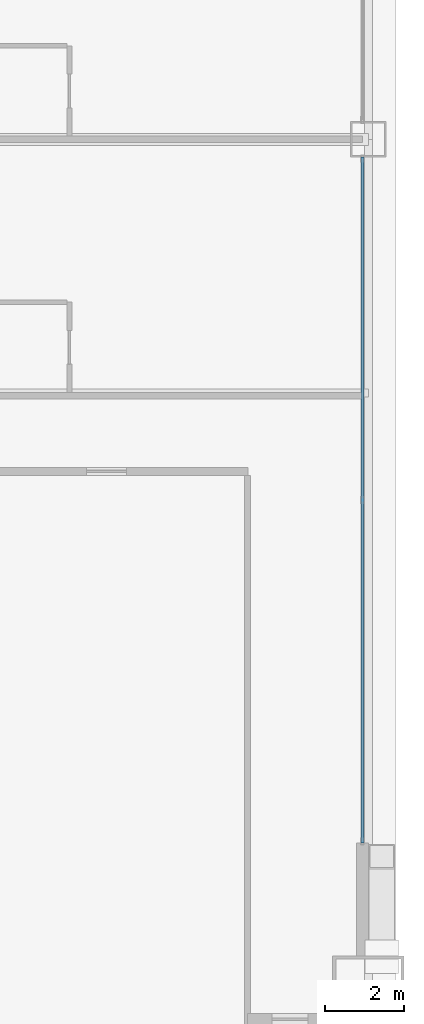
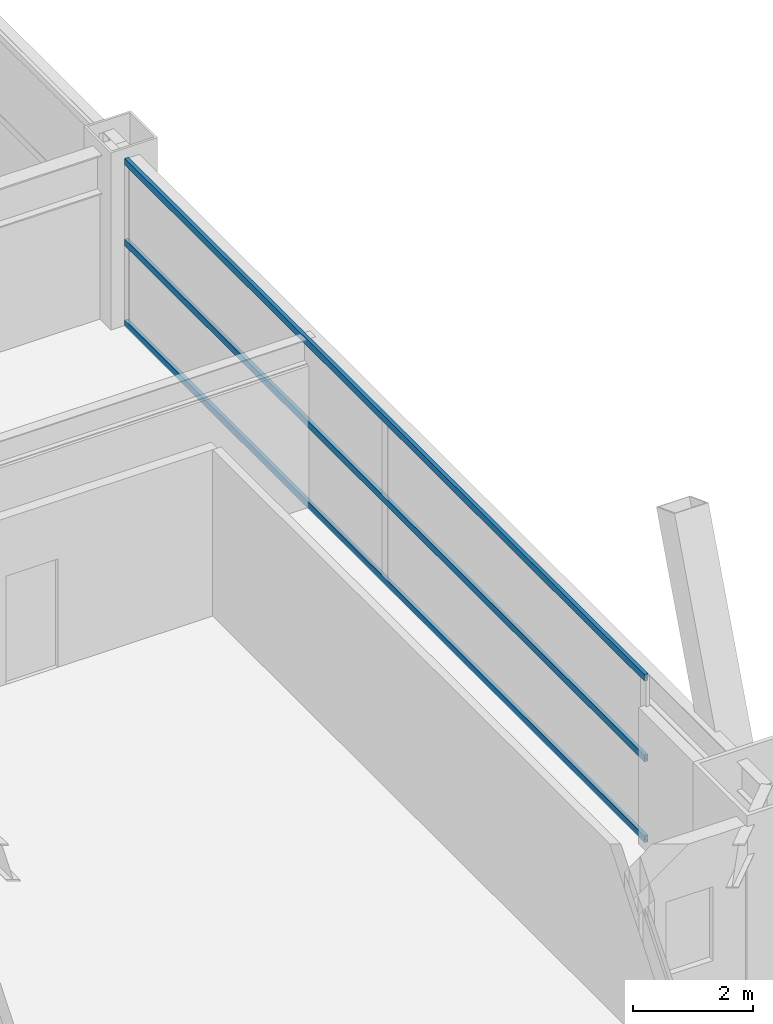
# One storey, part 20 of 43: 3 members, 1 element without a shape of its own.
"""IFC4 building model written with IfcOpenShell, lengths in metres."""

import ifcopenshell
import ifcopenshell.guid

model = None  # the IFC model being written
_history = None  # IfcOwnerHistory: only IFC2X3 demands one
_inside = {}  # id of a spatial element -> (the spatial element, [elements in it])
_under = {}  # id of a project, library or spatial element -> (it, [spatial elements below it])
_declared = {}  # id of a project -> (the project, [libraries it declares])
_typed = {}  # id of a type object -> (the type object, [elements of that type])
_made_of = {}  # id of a material, layer set ... -> (it, [elements and type objects made of it])


def new_model(schema):
    """Start an empty IFC model of exactly this schema.

    Asked for "IFC4X3", IfcOpenShell would pick the latest addendum, in which some entities
    have other attributes; the version numbers below select the first issue.
    IFC2X3 requires an IfcOwnerHistory on every rooted entity: one is made here for all.
    """
    global model, _history
    if schema == "IFC4X3":
        model = ifcopenshell.file(schema_version=(4, 3, 0, 0))
    else:
        model = ifcopenshell.file(schema=schema)
    _inside.clear()
    _under.clear()
    _declared.clear()
    _typed.clear()
    _made_of.clear()
    _history = None
    if model.schema == "IFC2X3":
        org = make("IfcOrganization", Name="unknown")
        user = make(
            "IfcPersonAndOrganization",
            ThePerson=make("IfcPerson", FamilyName="unknown"),
            TheOrganization=org,
        )
        app = make(
            "IfcApplication",
            ApplicationDeveloper=org,
            Version="unknown",
            ApplicationFullName="unknown",
            ApplicationIdentifier="unknown",
        )
        _history = make(
            "IfcOwnerHistory",
            OwningUser=user,
            OwningApplication=app,
            ChangeAction="ADDED",
            CreationDate=0,
        )
    return model


def make(cls, **values):
    """One entity of the class cls with the attributes given. An attribute that is None is left unset."""
    return model.create_entity(
        cls, **{name: value for name, value in values.items() if value is not None}
    )


def rooted(cls, **values):
    """An entity with a GlobalId (a new one), such as an element, a storey or a relation."""
    return make(cls, GlobalId=ifcopenshell.guid.new(), OwnerHistory=_history, **values)


def si_unit(unit_type, name, prefix=None):
    """IfcSIUnit, for example si_unit("LENGTHUNIT", "METRE", prefix="MILLI")."""
    return make("IfcSIUnit", UnitType=unit_type, Prefix=prefix, Name=name)


def assignment(units):
    """IfcUnitAssignment: the units of a project."""
    return None if units is None else make("IfcUnitAssignment", Units=units)


def point(xyz):
    """IfcCartesianPoint."""
    return None if xyz is None else make("IfcCartesianPoint", Coordinates=xyz)


def direction(xyz):
    """IfcDirection."""
    return None if xyz is None else make("IfcDirection", DirectionRatios=xyz)


def frame(location, z_axis=None, x_axis=None):
    """IfcAxis2Placement3D, a coordinate frame: its origin and axes. An axis left out is left unset."""
    return make(
        "IfcAxis2Placement3D",
        Location=point(location),
        Axis=direction(z_axis),
        RefDirection=direction(x_axis),
    )


def frame_2d(location, x_axis=None):
    """IfcAxis2Placement2D, a coordinate frame in the plane: its origin and x axis."""
    return make(
        "IfcAxis2Placement2D", Location=point(location), RefDirection=direction(x_axis)
    )


def origin():
    """The frame at (0, 0, 0) with its axes left unset."""
    return frame((0.0, 0.0, 0.0))


def origin_2d():
    """The frame at (0, 0) in the plane with its x axis left unset."""
    return frame_2d((0.0, 0.0))


def place(relative_to, where):
    """IfcLocalPlacement: puts the frame where relative to a parent placement (None: the world)."""
    return make(
        "IfcLocalPlacement", PlacementRelTo=relative_to, RelativePlacement=where
    )


def context(
    kind, dimensions, precision=None, world=None, true_north=None, identifier=None
):
    """IfcGeometricRepresentationContext, for example the 3D "Model" context."""
    return make(
        "IfcGeometricRepresentationContext",
        ContextIdentifier=identifier,
        ContextType=kind,
        CoordinateSpaceDimension=dimensions,
        Precision=precision,
        WorldCoordinateSystem=world,
        TrueNorth=true_north,
    )


def subcontext(parent, identifier, kind, view, scale=None):
    """IfcGeometricRepresentationSubContext, for example "Body" below "Model"."""
    return make(
        "IfcGeometricRepresentationSubContext",
        ContextIdentifier=identifier,
        ContextType=kind,
        ParentContext=parent,
        TargetScale=scale,
        TargetView=view,
    )


def project(units=None, contexts=None):
    """IfcProject with its units and contexts."""
    return rooted(
        "IfcProject",
        Name="project",
        RepresentationContexts=contexts,
        UnitsInContext=assignment(units),
    )


def spatial(cls, under=None, at=None, **own):
    """A site, building, storey or space (cls), placed at a placement, below another one or the project."""
    s = rooted(cls, ObjectPlacement=at, **own)
    if under is not None:
        _under.setdefault(under.id(), (under, []))[1].append(s)
    return s


def profile(cls, at=None, kind="AREA", **sizes):
    """A parametric profile (cls). Its sizes go by their IFC names, for example OverallWidth=200.0."""
    return make(cls, ProfileType=kind, Position=at, **sizes)


def hollow_rectangle(**sizes):
    """IfcRectangleHollowProfileDef."""
    return profile("IfcRectangleHollowProfileDef", **sizes)


def extrude(swept, where, along, depth):
    """IfcExtrudedAreaSolid: the profile swept, set in the frame where, extruded along a direction by depth."""
    return make(
        "IfcExtrudedAreaSolid",
        SweptArea=swept,
        Position=where,
        ExtrudedDirection=direction(along),
        Depth=depth,
    )


def shape(context_of_items, identifier, shape_type, items):
    """IfcShapeRepresentation: the items that make up one representation, for example the "Body"."""
    return make(
        "IfcShapeRepresentation",
        ContextOfItems=context_of_items,
        RepresentationIdentifier=identifier,
        RepresentationType=shape_type,
        Items=items,
    )


def source(mapping_origin, context_of_items, identifier, shape_type, items):
    """IfcRepresentationMap: a shape defined once, which mapped items show again and again."""
    return make(
        "IfcRepresentationMap",
        MappingOrigin=mapping_origin,
        MappedRepresentation=shape(context_of_items, identifier, shape_type, items),
    )


def transform(
    local_origin,
    x_axis=None,
    y_axis=None,
    z_axis=None,
    scale=None,
    scale2=None,
    scale3=None,
    uniform=True,
):
    """IfcCartesianTransformationOperator3D, or its non-uniform kind. x_axis, y_axis, z_axis: its Axis1, 2, 3."""
    if uniform:
        return make(
            "IfcCartesianTransformationOperator3D",
            Axis1=direction(x_axis),
            Axis2=direction(y_axis),
            LocalOrigin=point(local_origin),
            Scale=scale,
            Axis3=direction(z_axis),
        )
    return make(
        "IfcCartesianTransformationOperator3DnonUniform",
        Axis1=direction(x_axis),
        Axis2=direction(y_axis),
        LocalOrigin=point(local_origin),
        Scale=scale,
        Axis3=direction(z_axis),
        Scale2=scale2,
        Scale3=scale3,
    )


def mapped(mapping_source, mapping_target):
    """IfcMappedItem: shows the shape of a source again, moved by a transform."""
    return make(
        "IfcMappedItem", MappingSource=mapping_source, MappingTarget=mapping_target
    )


def material(Name=None, Category=None):
    """IfcMaterial."""
    return make("IfcMaterial", Name=Name, Category=Category)


def layer(
    of_material, thickness, ventilated=None, Name=None, Category=None, Priority=None
):
    """IfcMaterialLayer: one layer of a wall or slab, of a material (None: an air gap)."""
    return make(
        "IfcMaterialLayer",
        Material=of_material,
        LayerThickness=thickness,
        IsVentilated=ventilated,
        Name=Name,
        Category=Category,
        Priority=Priority,
    )


def layer_set(layers, Name=None):
    """IfcMaterialLayerSet."""
    return make("IfcMaterialLayerSet", MaterialLayers=layers, LayerSetName=Name)


def material_profile(
    of_material, cross_section, Name=None, Category=None, Priority=None
):
    """IfcMaterialProfile: a cross section and its material."""
    return make(
        "IfcMaterialProfile",
        Name=Name,
        Material=of_material,
        Profile=cross_section,
        Priority=Priority,
        Category=Category,
    )


def profile_set(profiles, Name=None, composite=None):
    """IfcMaterialProfileSet."""
    return make(
        "IfcMaterialProfileSet",
        Name=Name,
        MaterialProfiles=profiles,
        CompositeProfile=composite,
    )


def made_of(thing, what):
    """Note that an element or type object is made of a material, layer set ...; save() writes the relation."""
    if what is not None:
        _made_of.setdefault(what.id(), (what, []))[1].append(thing)
    return thing


def type_object(cls, material=None, **own):
    """A type object (cls), such as IfcWallType, which elements share."""
    return made_of(rooted(cls, **own), material)


def element(
    cls,
    number,
    at=None,
    inside=None,
    cuts=None,
    type_object=None,
    material=None,
    context=None,
    identifier="Body",
    shape_type=None,
    held_by="IfcProductDefinitionShape",
    body=None,
    shapes=None,
    **own,
):
    """One element of the class cls, such as IfcWall. Its Tag is "e" and its number.

    at: its placement. inside: the storey or other place that contains it. cuts: it is an
    opening in that element (IfcRelVoidsElement). A single representation is given by context,
    identifier, shape_type and body (its items); several are given by shapes. held_by: the class
    of the entity that holds the representations. save() writes the other relations.
    """
    e = rooted(cls, Tag="e%d" % number, ObjectPlacement=at, **own)
    if body is not None:
        shapes = [shape(context, identifier, shape_type, body)]
    if shapes is not None:
        e.Representation = make(held_by, Representations=shapes)
    if inside is not None:
        _inside.setdefault(inside.id(), (inside, []))[1].append(e)
    if cuts is not None:
        rooted(
            "IfcRelVoidsElement", RelatingBuildingElement=cuts, RelatedOpeningElement=e
        )
    if type_object is not None:
        _typed.setdefault(type_object.id(), (type_object, []))[1].append(e)
    return made_of(e, material)


def aggregate(whole, parts):
    """IfcRelAggregates: a whole, such as a stair, and the parts it consists of."""
    return rooted("IfcRelAggregates", RelatingObject=whole, RelatedObjects=parts)


def save(model, path):
    """Write the relations noted so far, then the file.

    IfcRelAggregates (storeys below a building ...), IfcRelContainedInSpatialStructure (elements
    in a storey), IfcRelDefinesByType, IfcRelAssociatesMaterial and IfcRelDeclares: one each for
    every whole, place, type object, material and project.
    """
    for whole, parts in _under.values():
        aggregate(whole, parts)
    for where, things in _inside.values():
        rooted(
            "IfcRelContainedInSpatialStructure",
            RelatedElements=things,
            RelatingStructure=where,
        )
    for kind, things in _typed.values():
        rooted("IfcRelDefinesByType", RelatedObjects=things, RelatingType=kind)
    for what, things in _made_of.values():
        rooted("IfcRelAssociatesMaterial", RelatedObjects=things, RelatingMaterial=what)
    for by, libraries in _declared.values():
        rooted("IfcRelDeclares", RelatingContext=by, RelatedDefinitions=libraries)
    model.write(path)


model = new_model("IFC4")

# Units and contexts
model_context = context("Model", 3, precision=1e-05, world=origin(), true_north=direction((0.0, 1.0)))
body_context = subcontext(model_context, "Body", "Model", "MODEL_VIEW")
ifc_project = project(units=[si_unit("LENGTHUNIT", "METRE"), si_unit("AREAUNIT", "SQUARE_METRE"), si_unit("VOLUMEUNIT", "CUBIC_METRE"), si_unit("PLANEANGLEUNIT", "RADIAN"), si_unit("MASSUNIT", "GRAM", prefix="KILO"), si_unit("THERMODYNAMICTEMPERATUREUNIT", "KELVIN"), si_unit("POWERUNIT", "WATT")], contexts=[model_context])

# Site, building, storey
site_placement = place(None, origin())
site = spatial("IfcSite", under=ifc_project, at=site_placement, CompositionType="ELEMENT")
building_placement = place(site_placement, origin())
building = spatial("IfcBuilding", under=site, at=building_placement, Name="Yuzanri Waterfront Tower", CompositionType="ELEMENT")
storey_placement = place(building_placement, frame((0.0, 0.0, 53.199951171875)))
storey = spatial("IfcBuildingStorey", under=building, at=storey_placement, Name="L13", CompositionType="ELEMENT", Elevation=53.199951171875)

# Curtain wall, members
ifc_material_1 = material(Name="Anodized Architectural Bronze", Category="metal")
ifc_layer = layer(ifc_material_1, 0.159912109375)
ifc_layer_set = layer_set([ifc_layer], Name="Anodized Architectural Bronze")
curtain_wall_type = type_object("IfcCurtainWallType", Name="Anodized Bronze Hotel Lower-Tier Recessed Unitized Curtain Wall 8100", PredefinedType="NOTDEFINED", material=ifc_layer_set)
curtain_wall_placement = place(storey_placement, origin())
curtain_wall = element("IfcCurtainWall", 1, at=curtain_wall_placement, inside=storey, type_object=curtain_wall_type, Name="L13 Curtain Wall CW-L13-EL", PredefinedType="NOTDEFINED")
ifc_material_2 = material(Name="Anodized Architectural Bronze", Category="metal")
ifc_material_profile = material_profile(ifc_material_2, hollow_rectangle(XDim=0.070068359375, YDim=0.135009765625, WallThickness=0.00341796875, at=origin_2d()), Name="CWT 70x135")
ifc_profile_set = profile_set([ifc_material_profile], Name="Anodized Architectural Bronze")
member_type = type_object("IfcMemberType", Name="Anodized Bronze Standard Curtain-Wall Transom 70x135", PredefinedType="USERDEFINED", material=ifc_profile_set)
shared_shape = source(origin(), body_context, "Body", "SweptSolid", [
    extrude(hollow_rectangle(XDim=0.070068359375, YDim=0.135009765625, WallThickness=0.00341796875, at=origin_2d()), origin(), (0.0, 0.0, 1.0), 17.300048828125),
])
member_1_placement = place(storey_placement, frame((61.949951171875, 8.050048828125, 0.050048828125), z_axis=(0.0, 1.0, 0.0), x_axis=(-1.0, 0.0, 0.0)))
member_1 = element("IfcMember", 2, at=member_1_placement, type_object=member_type, Name="CW-L13-EL Transom 1", ObjectType="TRANSOM", PredefinedType="USERDEFINED", context=body_context, shape_type="MappedRepresentation", body=[
    mapped(shared_shape, transform((0.0, 0.0, 0.0), scale=1.0)),
])
member_2_placement = place(storey_placement, frame((61.949951171875, 8.050048828125, 1.68994140625), z_axis=(0.0, 1.0, 0.0), x_axis=(-1.0, 0.0, 0.0)))
member_2 = element("IfcMember", 3, at=member_2_placement, type_object=member_type, Name="CW-L13-EL Transom 2", ObjectType="TRANSOM", PredefinedType="USERDEFINED", context=body_context, shape_type="MappedRepresentation", body=[
    mapped(shared_shape, transform((0.0, 0.0, 0.0), scale=1.0)),
])
member_3_placement = place(storey_placement, frame((61.949951171875, 8.050048828125, 3.330078125), z_axis=(0.0, 1.0, 0.0), x_axis=(-1.0, 0.0, 0.0)))
member_3 = element("IfcMember", 4, at=member_3_placement, type_object=member_type, Name="CW-L13-EL Transom 3", ObjectType="TRANSOM", PredefinedType="USERDEFINED", context=body_context, shape_type="MappedRepresentation", body=[
    mapped(shared_shape, transform((0.0, 0.0, 0.0), scale=1.0)),
])
aggregate(curtain_wall, [member_1, member_2, member_3])

save(model, "model.ifc")
